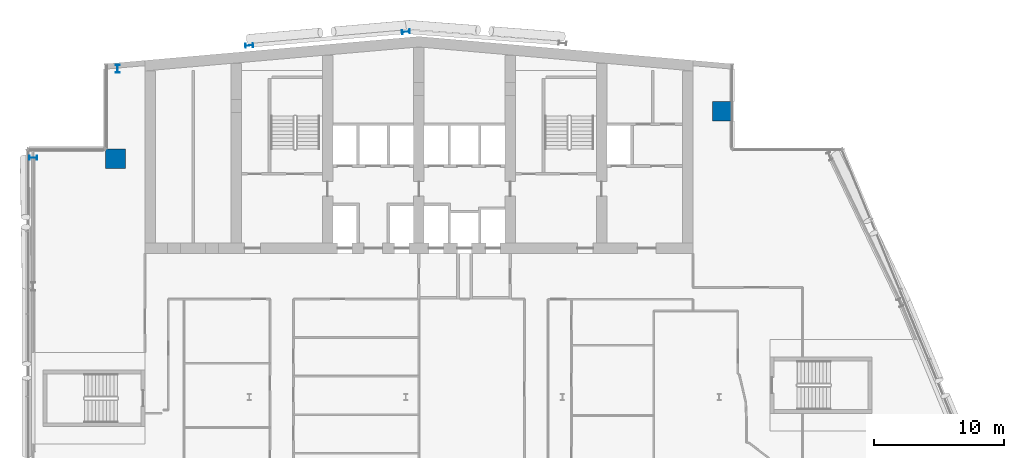
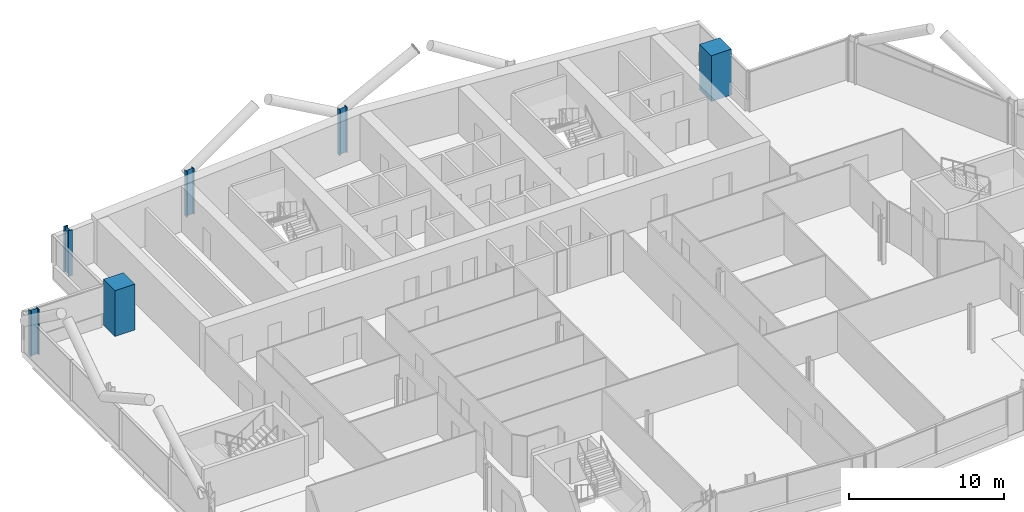
# One storey, part 3 of 26: 6 columns.
"""IFC4 building model written with IfcOpenShell, lengths in metres."""

import ifcopenshell
import ifcopenshell.guid

model = None  # the IFC model being written
_history = None  # IfcOwnerHistory: only IFC2X3 demands one
_inside = {}  # id of a spatial element -> (the spatial element, [elements in it])
_under = {}  # id of a project, library or spatial element -> (it, [spatial elements below it])
_declared = {}  # id of a project -> (the project, [libraries it declares])
_typed = {}  # id of a type object -> (the type object, [elements of that type])
_made_of = {}  # id of a material, layer set ... -> (it, [elements and type objects made of it])


def new_model(schema):
    """Start an empty IFC model of exactly this schema.

    Asked for "IFC4X3", IfcOpenShell would pick the latest addendum, in which some entities
    have other attributes; the version numbers below select the first issue.
    IFC2X3 requires an IfcOwnerHistory on every rooted entity: one is made here for all.
    """
    global model, _history
    if schema == "IFC4X3":
        model = ifcopenshell.file(schema_version=(4, 3, 0, 0))
    else:
        model = ifcopenshell.file(schema=schema)
    _inside.clear()
    _under.clear()
    _declared.clear()
    _typed.clear()
    _made_of.clear()
    _history = None
    if model.schema == "IFC2X3":
        org = make("IfcOrganization", Name="unknown")
        user = make(
            "IfcPersonAndOrganization",
            ThePerson=make("IfcPerson", FamilyName="unknown"),
            TheOrganization=org,
        )
        app = make(
            "IfcApplication",
            ApplicationDeveloper=org,
            Version="unknown",
            ApplicationFullName="unknown",
            ApplicationIdentifier="unknown",
        )
        _history = make(
            "IfcOwnerHistory",
            OwningUser=user,
            OwningApplication=app,
            ChangeAction="ADDED",
            CreationDate=0,
        )
    return model


def make(cls, **values):
    """One entity of the class cls with the attributes given. An attribute that is None is left unset."""
    return model.create_entity(
        cls, **{name: value for name, value in values.items() if value is not None}
    )


def rooted(cls, **values):
    """An entity with a GlobalId (a new one), such as an element, a storey or a relation."""
    return make(cls, GlobalId=ifcopenshell.guid.new(), OwnerHistory=_history, **values)


def si_unit(unit_type, name, prefix=None):
    """IfcSIUnit, for example si_unit("LENGTHUNIT", "METRE", prefix="MILLI")."""
    return make("IfcSIUnit", UnitType=unit_type, Prefix=prefix, Name=name)


def assignment(units):
    """IfcUnitAssignment: the units of a project."""
    return None if units is None else make("IfcUnitAssignment", Units=units)


def point(xyz):
    """IfcCartesianPoint."""
    return None if xyz is None else make("IfcCartesianPoint", Coordinates=xyz)


def direction(xyz):
    """IfcDirection."""
    return None if xyz is None else make("IfcDirection", DirectionRatios=xyz)


def frame(location, z_axis=None, x_axis=None):
    """IfcAxis2Placement3D, a coordinate frame: its origin and axes. An axis left out is left unset."""
    return make(
        "IfcAxis2Placement3D",
        Location=point(location),
        Axis=direction(z_axis),
        RefDirection=direction(x_axis),
    )


def frame_2d(location, x_axis=None):
    """IfcAxis2Placement2D, a coordinate frame in the plane: its origin and x axis."""
    return make(
        "IfcAxis2Placement2D", Location=point(location), RefDirection=direction(x_axis)
    )


def origin():
    """The frame at (0, 0, 0) with its axes left unset."""
    return frame((0.0, 0.0, 0.0))


def origin_2d():
    """The frame at (0, 0) in the plane with its x axis left unset."""
    return frame_2d((0.0, 0.0))


def place(relative_to, where):
    """IfcLocalPlacement: puts the frame where relative to a parent placement (None: the world)."""
    return make(
        "IfcLocalPlacement", PlacementRelTo=relative_to, RelativePlacement=where
    )


def context(
    kind, dimensions, precision=None, world=None, true_north=None, identifier=None
):
    """IfcGeometricRepresentationContext, for example the 3D "Model" context."""
    return make(
        "IfcGeometricRepresentationContext",
        ContextIdentifier=identifier,
        ContextType=kind,
        CoordinateSpaceDimension=dimensions,
        Precision=precision,
        WorldCoordinateSystem=world,
        TrueNorth=true_north,
    )


def subcontext(parent, identifier, kind, view, scale=None):
    """IfcGeometricRepresentationSubContext, for example "Body" below "Model"."""
    return make(
        "IfcGeometricRepresentationSubContext",
        ContextIdentifier=identifier,
        ContextType=kind,
        ParentContext=parent,
        TargetScale=scale,
        TargetView=view,
    )


def project(units=None, contexts=None):
    """IfcProject with its units and contexts."""
    return rooted(
        "IfcProject",
        Name="project",
        RepresentationContexts=contexts,
        UnitsInContext=assignment(units),
    )


def spatial(cls, under=None, at=None, **own):
    """A site, building, storey or space (cls), placed at a placement, below another one or the project."""
    s = rooted(cls, ObjectPlacement=at, **own)
    if under is not None:
        _under.setdefault(under.id(), (under, []))[1].append(s)
    return s


def profile(cls, at=None, kind="AREA", **sizes):
    """A parametric profile (cls). Its sizes go by their IFC names, for example OverallWidth=200.0."""
    return make(cls, ProfileType=kind, Position=at, **sizes)


def rectangle(**sizes):
    """IfcRectangleProfileDef."""
    return profile("IfcRectangleProfileDef", **sizes)


def i_section(**sizes):
    """IfcIShapeProfileDef."""
    return profile("IfcIShapeProfileDef", **sizes)


def extrude(swept, where, along, depth):
    """IfcExtrudedAreaSolid: the profile swept, set in the frame where, extruded along a direction by depth."""
    return make(
        "IfcExtrudedAreaSolid",
        SweptArea=swept,
        Position=where,
        ExtrudedDirection=direction(along),
        Depth=depth,
    )


def shape(context_of_items, identifier, shape_type, items):
    """IfcShapeRepresentation: the items that make up one representation, for example the "Body"."""
    return make(
        "IfcShapeRepresentation",
        ContextOfItems=context_of_items,
        RepresentationIdentifier=identifier,
        RepresentationType=shape_type,
        Items=items,
    )


def material(Name=None, Category=None):
    """IfcMaterial."""
    return make("IfcMaterial", Name=Name, Category=Category)


def material_profile(
    of_material, cross_section, Name=None, Category=None, Priority=None
):
    """IfcMaterialProfile: a cross section and its material."""
    return make(
        "IfcMaterialProfile",
        Name=Name,
        Material=of_material,
        Profile=cross_section,
        Priority=Priority,
        Category=Category,
    )


def profile_set(profiles, Name=None, composite=None):
    """IfcMaterialProfileSet."""
    return make(
        "IfcMaterialProfileSet",
        Name=Name,
        MaterialProfiles=profiles,
        CompositeProfile=composite,
    )


def made_of(thing, what):
    """Note that an element or type object is made of a material, layer set ...; save() writes the relation."""
    if what is not None:
        _made_of.setdefault(what.id(), (what, []))[1].append(thing)
    return thing


def type_object(cls, material=None, **own):
    """A type object (cls), such as IfcWallType, which elements share."""
    return made_of(rooted(cls, **own), material)


def element(
    cls,
    number,
    at=None,
    inside=None,
    cuts=None,
    type_object=None,
    material=None,
    context=None,
    identifier="Body",
    shape_type=None,
    held_by="IfcProductDefinitionShape",
    body=None,
    shapes=None,
    **own,
):
    """One element of the class cls, such as IfcWall. Its Tag is "e" and its number.

    at: its placement. inside: the storey or other place that contains it. cuts: it is an
    opening in that element (IfcRelVoidsElement). A single representation is given by context,
    identifier, shape_type and body (its items); several are given by shapes. held_by: the class
    of the entity that holds the representations. save() writes the other relations.
    """
    e = rooted(cls, Tag="e%d" % number, ObjectPlacement=at, **own)
    if body is not None:
        shapes = [shape(context, identifier, shape_type, body)]
    if shapes is not None:
        e.Representation = make(held_by, Representations=shapes)
    if inside is not None:
        _inside.setdefault(inside.id(), (inside, []))[1].append(e)
    if cuts is not None:
        rooted(
            "IfcRelVoidsElement", RelatingBuildingElement=cuts, RelatedOpeningElement=e
        )
    if type_object is not None:
        _typed.setdefault(type_object.id(), (type_object, []))[1].append(e)
    return made_of(e, material)


def aggregate(whole, parts):
    """IfcRelAggregates: a whole, such as a stair, and the parts it consists of."""
    return rooted("IfcRelAggregates", RelatingObject=whole, RelatedObjects=parts)


def save(model, path):
    """Write the relations noted so far, then the file.

    IfcRelAggregates (storeys below a building ...), IfcRelContainedInSpatialStructure (elements
    in a storey), IfcRelDefinesByType, IfcRelAssociatesMaterial and IfcRelDeclares: one each for
    every whole, place, type object, material and project.
    """
    for whole, parts in _under.values():
        aggregate(whole, parts)
    for where, things in _inside.values():
        rooted(
            "IfcRelContainedInSpatialStructure",
            RelatedElements=things,
            RelatingStructure=where,
        )
    for kind, things in _typed.values():
        rooted("IfcRelDefinesByType", RelatedObjects=things, RelatingType=kind)
    for what, things in _made_of.values():
        rooted("IfcRelAssociatesMaterial", RelatedObjects=things, RelatingMaterial=what)
    for by, libraries in _declared.values():
        rooted("IfcRelDeclares", RelatingContext=by, RelatedDefinitions=libraries)
    model.write(path)


model = new_model("IFC4")

# Units and contexts
model_context = context("Model", 3, precision=1e-05, world=origin(), true_north=direction((0.0, 1.0)))
body_context = subcontext(model_context, "Body", "Model", "MODEL_VIEW")
ifc_project = project(units=[si_unit("LENGTHUNIT", "METRE"), si_unit("AREAUNIT", "SQUARE_METRE"), si_unit("VOLUMEUNIT", "CUBIC_METRE"), si_unit("PLANEANGLEUNIT", "RADIAN"), si_unit("MASSUNIT", "GRAM", prefix="KILO")], contexts=[model_context])

# Site, building, storey
site_placement = place(None, origin())
site = spatial("IfcSite", under=ifc_project, at=site_placement, CompositionType="ELEMENT")
building_placement = place(site_placement, origin())
building = spatial("IfcBuilding", under=site, at=building_placement, Name="Wharfspan Tower", CompositionType="ELEMENT")
storey_placement = place(building_placement, frame((0.0, 0.0, 169.899902)))
storey = spatial("IfcBuildingStorey", under=building, at=storey_placement, Name="L41", CompositionType="ELEMENT", Elevation=169.899902)

# Columns
ifc_material_1 = material(Name="Steel S355J2", Category="steel")
ifc_material_profile_1 = material_profile(ifc_material_1, i_section(OverallWidth=0.300049, OverallDepth=0.600098, WebThickness=0.015381, FlangeThickness=0.030029, FilletRadius=0.0271, at=origin_2d()))
ifc_profile_set_1 = profile_set([ifc_material_profile_1], Name="Steel S355J2")
column_type_1 = type_object("IfcColumnType", Name="Column HEB 600", PredefinedType="COLUMN", material=ifc_profile_set_1)
for number, where, z_axis, x_axis, name in (
    (1, (24.0, 49.937256, 0.0), (0.0, 0.0, 1.0), (-0.087156, 0.996198, 0.0), "Rear column R.1 L41"),
    (2, (36.0, 50.987061, 0.0), (0.0, 0.0, 1.0), (-0.087156, 0.996198, 0.0), "Rear column R.2 L41"),
):
    element("IfcColumn", number, at=place(storey_placement, frame(where, z_axis=z_axis, x_axis=x_axis)), inside=storey, type_object=column_type_1, Name=name, PredefinedType="COLUMN", context=body_context, shape_type="SweptSolid", body=[
        extrude(i_section(OverallWidth=0.300049, OverallDepth=0.600098, WebThickness=0.015381, FlangeThickness=0.030029, FilletRadius=0.0271, at=origin_2d()), origin(), (0.0, 0.0, 1.0), 3.600098),
    ])
ifc_material_profile_2 = material_profile(ifc_material_1, i_section(OverallWidth=0.304932, OverallDepth=0.620117, WebThickness=0.020996, FlangeThickness=0.040039, FilletRadius=0.0271, at=origin_2d()))
ifc_profile_set_2 = profile_set([ifc_material_profile_2], Name="Steel S355J2")
column_type_2 = type_object("IfcColumnType", Name="Column HEM 600", PredefinedType="COLUMN", material=ifc_profile_set_2)
for number, where, z_axis, x_axis, name in (
    (3, (13.911133, 48.141113, 0.0), (0.0, 0.0, 1.0), (-1.0, 0.0, 0.0), "Perimeter column PNRW-V.1 L41"),
    (4, (7.450439, 41.333008, 0.0), (0.0, 0.0, 1.0), (0.0, 1.0, 0.0), "Perimeter column PNRW-H.1 L41"),
):
    element("IfcColumn", number, at=place(storey_placement, frame(where, z_axis=z_axis, x_axis=x_axis)), inside=storey, type_object=column_type_2, Name=name, PredefinedType="COLUMN", context=body_context, shape_type="SweptSolid", body=[
        extrude(i_section(OverallWidth=0.304932, OverallDepth=0.620117, WebThickness=0.020996, FlangeThickness=0.040039, FilletRadius=0.0271, at=origin_2d()), origin(), (0.0, 0.0, 1.0), 3.600098),
    ])
ifc_material_2 = material(Name="Concrete C60/75", Category="concrete")
ifc_material_profile_3 = material_profile(ifc_material_2, rectangle(XDim=1.5, YDim=1.5, at=origin_2d()))
ifc_profile_set_3 = profile_set([ifc_material_profile_3], Name="Concrete C60/75")
column_type_3 = type_object("IfcColumnType", Name="Mega column 1500 C60/75", PredefinedType="COLUMN", material=ifc_profile_set_3)
for number, where, z_axis, x_axis, name in (
    (5, (13.75, 41.25, 0.0), (0.0, 0.0, 1.0), (1.0, 0.0, 0.0), "Mega column MC2 L41"),
    (6, (60.25, 44.899902, 0.0), (0.0, 0.0, 1.0), (1.0, 0.0, 0.0), "Mega column MC3 L41"),
):
    element("IfcColumn", number, at=place(storey_placement, frame(where, z_axis=z_axis, x_axis=x_axis)), inside=storey, type_object=column_type_3, Name=name, PredefinedType="COLUMN", context=body_context, shape_type="SweptSolid", body=[
        extrude(rectangle(XDim=1.5, YDim=1.5, at=origin_2d()), origin(), (0.0, 0.0, 1.0), 3.600098),
    ])

save(model, "model.ifc")
